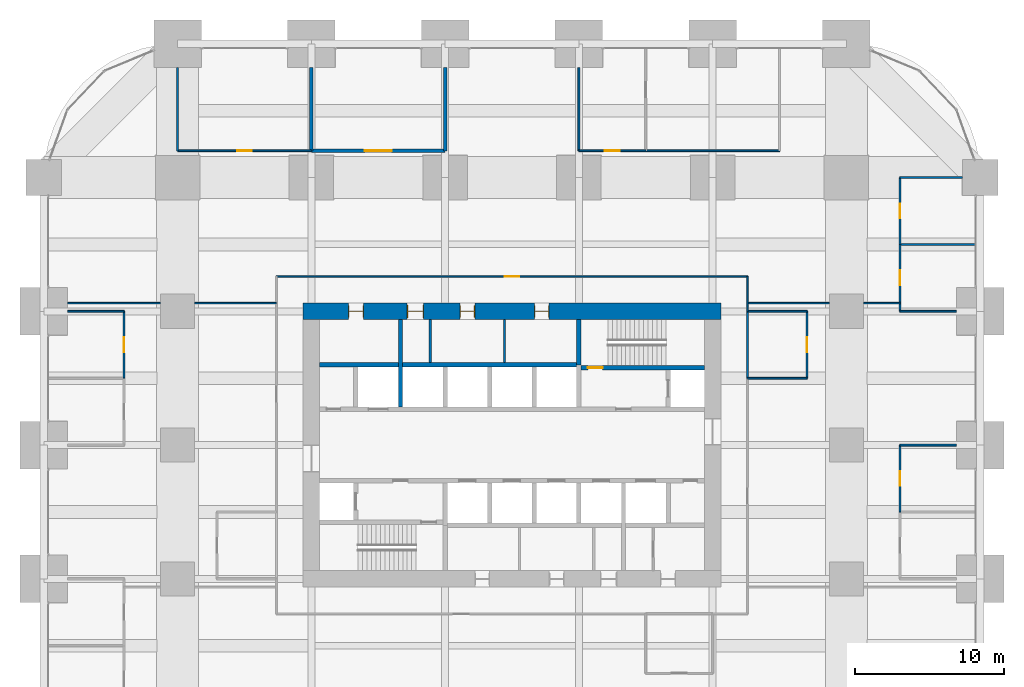
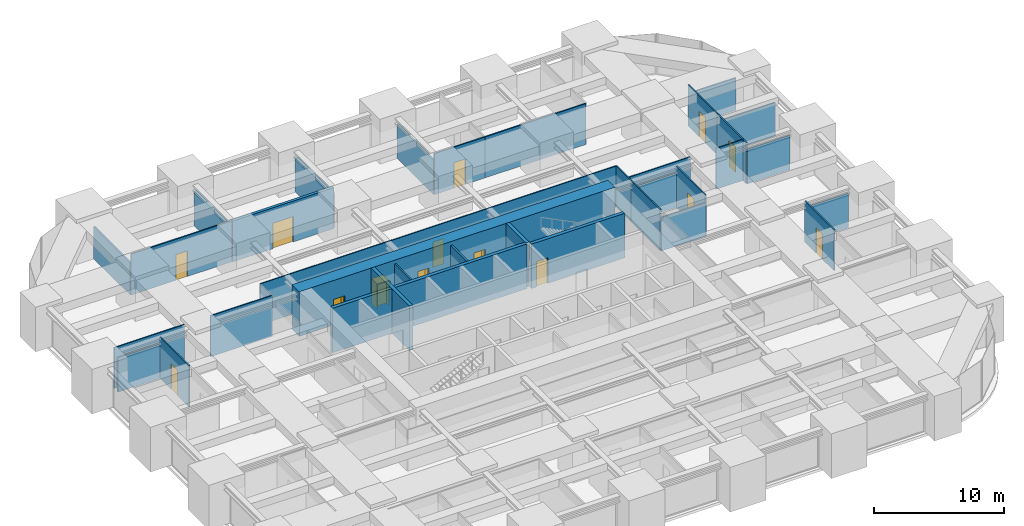
# One storey, part 40 of 42: 34 walls, 14 doors, 14 openings.
"""IFC4 building model written with IfcOpenShell, lengths in metres."""

from ifc_helpers import new_model, si_unit, direction, frame, frame_2d, origin, place, context, subcontext, project, spatial, rectangle, extrude, material, layer, layer_set, type_object, element, fill, save


model = new_model("IFC4")

# Units and contexts
model_context = context("Model", 3, precision=1e-05, world=origin(), true_north=direction((0.0, 1.0)))
body_context = subcontext(model_context, "Body", "Model", "MODEL_VIEW")
ifc_project = project(units=[si_unit("LENGTHUNIT", "METRE"), si_unit("AREAUNIT", "SQUARE_METRE"), si_unit("VOLUMEUNIT", "CUBIC_METRE"), si_unit("PLANEANGLEUNIT", "RADIAN"), si_unit("MASSUNIT", "GRAM", prefix="KILO")], contexts=[model_context])

# Site, building, storey
site_placement = place(None, origin())
site = spatial("IfcSite", under=ifc_project, at=site_placement, CompositionType="ELEMENT")
building_placement = place(site_placement, origin())
building = spatial("IfcBuilding", under=site, at=building_placement, Name="Zorevar Civic Tower", CompositionType="ELEMENT")
storey_placement = place(building_placement, frame((0.0, 0.0, 75.800048828125)))
storey = spatial("IfcBuildingStorey", under=building, at=storey_placement, Name="L18", CompositionType="ELEMENT", Elevation=75.800048828125)

# Wall, opening, door
ifc_material_1 = material(Name="Twin-stud acoustic wall, gypsum board")
ifc_layer_1 = layer(ifc_material_1, 0.25)
ifc_layer_set_1 = layer_set([ifc_layer_1], Name="Acoustic wall 250")
wall_type_1 = type_object("IfcWallType", Name="Acoustic wall 250", PredefinedType="PARTITIONING", material=ifc_layer_set_1)
wall_1_placement = place(storey_placement, frame((18.0, 46.800048828125, 0.0), z_axis=(0.0, 0.0, 1.0), x_axis=(1.0, 0.0, 0.0)))
wall_1 = element("IfcWall", 1, at=wall_1_placement, inside=storey, type_object=wall_type_1, Name="Acoustic wall 250 L18", PredefinedType="PARTITIONING", context=body_context, shape_type="SweptSolid", body=[
    extrude(rectangle(XDim=9.0, YDim=0.25, at=frame_2d((4.5, 0.0))), origin(), (0.0, 0.0, 1.0), 3.849853515625),
])
opening_1_placement = place(wall_1_placement, frame((3.60009765625, 0.0, 0.0)))
opening_1 = element("IfcOpeningElement", 2, at=opening_1_placement, cuts=wall_1, Name="Opening L18.23", PredefinedType="OPENING", context=body_context, shape_type="SweptSolid", body=[
    extrude(rectangle(XDim=1.800048828125, YDim=2.39990234375, at=frame_2d((0.89990234375, 1.199951171875))), frame((0.0, 0.135009765625, 0.0), z_axis=(0.0, -1.0, 0.0), x_axis=(1.0, 0.0, 0.0)), (0.0, 0.0, 1.0), 0.27001953125),
])
ifc_material_2 = material(Name="Steel door set", Category="steel")
door_type_1 = type_object("IfcDoorType", Name="Door D2 1800x2400", OperationType="DOUBLE_DOOR_SINGLE_SWING", PredefinedType="DOOR", material=ifc_material_2)
door_1_placement = place(opening_1_placement, origin())
door_1 = element("IfcDoor", 3, at=door_1_placement, inside=storey, type_object=door_type_1, Name="Door L18 D1", OperationType="DOUBLE_DOOR_SINGLE_SWING", OverallHeight=2.39990234375, OverallWidth=1.800048828125, PredefinedType="DOOR", context=body_context, shape_type="SweptSolid", body=[
    extrude(rectangle(XDim=1.800048828125, YDim=2.39990234375, at=frame_2d((0.89990234375, 1.199951171875))), frame((0.0, 0.02490234375, 0.0), z_axis=(0.0, -1.0, 0.0), x_axis=(1.0, 0.0, 0.0)), (0.0, 0.0, 1.0), 0.050048828125),
])
fill(opening_1, door_1)

# Walls
for number, where, z_axis, x_axis, name in (
    (4, (18.0, 46.800048828125, 0.0), (0.0, 0.0, 1.0), (0.0, 1.0, 0.0), "Acoustic wall 250 L18"),
    (5, (27.0, 46.800048828125, 0.0), (0.0, 0.0, 1.0), (0.0, 1.0, 0.0), "Acoustic wall 250 L18"),
):
    element("IfcWall", number, at=place(storey_placement, frame(where, z_axis=z_axis, x_axis=x_axis)), inside=storey, type_object=wall_type_1, Name=name, PredefinedType="PARTITIONING", context=body_context, shape_type="SweptSolid", body=[
        extrude(rectangle(XDim=5.599853515625, YDim=0.25, at=frame_2d((2.7998046875, 0.0))), origin(), (0.0, 0.0, 1.0), 3.25),
    ])

# Wall, openings, doors
ifc_material_3 = material(Name="Concrete C50/60", Category="concrete")
ifc_layer_2 = layer(ifc_material_3, 1.10009765625)
ifc_layer_set_2 = layer_set([ifc_layer_2], Name="Core wall 1100")
wall_type_2 = type_object("IfcWallType", Name="Core wall 1100", PredefinedType="SHEAR", material=ifc_layer_set_2)
wall_2_placement = place(storey_placement, frame((45.550048828125, 36.0, 0.0), z_axis=(0.0, 0.0, 1.0), x_axis=(-1.0, 0.0, 0.0)))
wall_2 = element("IfcWall", 6, at=wall_2_placement, inside=storey, type_object=wall_type_2, Name="Core wall N L18", PredefinedType="SHEAR", context=body_context, shape_type="SweptSolid", body=[
    extrude(rectangle(XDim=28.10009765625, YDim=1.10009765625, at=frame_2d((14.050048828125, 0.0))), origin(), (0.0, 0.0, 1.0), 4.199951171875),
])
opening_2_placement = place(wall_2_placement, frame((11.550048828125, 0.0, 0.0)))
opening_2 = element("IfcOpeningElement", 7, at=opening_2_placement, cuts=wall_2, Name="Opening L18.07", PredefinedType="OPENING", context=body_context, shape_type="SweptSolid", body=[
    extrude(rectangle(XDim=1.0, YDim=2.39990234375, at=frame_2d((0.5, 1.199951171875))), frame((0.0, 0.56005859375, 0.0), z_axis=(0.0, -1.0, 0.0), x_axis=(1.0, 0.0, 0.0)), (0.0, 0.0, 1.0), 1.1201171875),
])
opening_3_placement = place(wall_2_placement, frame((16.550048828125, 0.0, 0.0)))
opening_3 = element("IfcOpeningElement", 8, at=opening_3_placement, cuts=wall_2, Name="Opening L18.08", PredefinedType="OPENING", context=body_context, shape_type="SweptSolid", body=[
    extrude(rectangle(XDim=1.0, YDim=2.39990234375, at=frame_2d((0.5, 1.199951171875))), frame((0.0, 0.56005859375, 0.0), z_axis=(0.0, -1.0, 0.0), x_axis=(1.0, 0.0, 0.0)), (0.0, 0.0, 1.0), 1.1201171875),
])
opening_4_placement = place(wall_2_placement, frame((20.0, 0.0, 0.0)))
opening_4 = element("IfcOpeningElement", 9, at=opening_4_placement, cuts=wall_2, Name="Opening L18.09", PredefinedType="OPENING", context=body_context, shape_type="SweptSolid", body=[
    extrude(rectangle(XDim=1.10009765625, YDim=2.39990234375, at=frame_2d((0.550048828125, 1.199951171875))), frame((0.0, 0.56005859375, 0.0), z_axis=(0.0, -1.0, 0.0), x_axis=(1.0, 0.0, 0.0)), (0.0, 0.0, 1.0), 1.1201171875),
])
opening_5_placement = place(wall_2_placement, frame((24.050048828125, 0.0, 0.0)))
opening_5 = element("IfcOpeningElement", 10, at=opening_5_placement, cuts=wall_2, Name="Opening L18.10", PredefinedType="OPENING", context=body_context, shape_type="SweptSolid", body=[
    extrude(rectangle(XDim=1.0, YDim=2.39990234375, at=frame_2d((0.5, 1.199951171875))), frame((0.0, 0.56005859375, 0.0), z_axis=(0.0, -1.0, 0.0), x_axis=(1.0, 0.0, 0.0)), (0.0, 0.0, 1.0), 1.1201171875),
])
ifc_material_4 = material(Name="Timber door set", Category="wood")
door_type_2 = type_object("IfcDoorType", Name="Door D1 1000x2400", OperationType="SINGLE_SWING_LEFT", PredefinedType="DOOR", material=ifc_material_4)
door_2_placement = place(opening_2_placement, origin())
door_2 = element("IfcDoor", 11, at=door_2_placement, inside=storey, type_object=door_type_2, Name="Door L18 06", OperationType="SINGLE_SWING_RIGHT", OverallHeight=2.39990234375, OverallWidth=1.0, PredefinedType="DOOR", context=body_context, shape_type="SweptSolid", body=[
    extrude(rectangle(XDim=1.0, YDim=2.39990234375, at=frame_2d((0.5, 1.199951171875))), frame((0.0, 0.02490234375, 0.0), z_axis=(0.0, -1.0, 0.0), x_axis=(1.0, 0.0, 0.0)), (0.0, 0.0, 1.0), 0.050048828125),
    extrude(rectangle(XDim=0.04, YDim=2.39990234375, at=frame_2d((0.02001953125, 1.199951171875))), frame((0.0, 0.39990234375, 0.0), z_axis=(0.0, -1.0, 0.0), x_axis=(1.0, 0.0, 0.0)), (0.0, 0.0, 1.0), 0.800048828125),
    extrude(rectangle(XDim=0.04, YDim=2.39990234375, at=frame_2d((0.97998046875, 1.199951171875))), frame((0.0, 0.39990234375, 0.0), z_axis=(0.0, -1.0, 0.0), x_axis=(1.0, 0.0, 0.0)), (0.0, 0.0, 1.0), 0.800048828125),
    extrude(rectangle(XDim=1.0, YDim=0.04, at=frame_2d((0.5, 2.3798828125))), frame((0.0, 0.39990234375, 0.0), z_axis=(0.0, -1.0, 0.0), x_axis=(1.0, 0.0, 0.0)), (0.0, 0.0, 1.0), 0.800048828125),
])
fill(opening_2, door_2)
door_3_placement = place(opening_3_placement, origin())
door_3 = element("IfcDoor", 12, at=door_3_placement, inside=storey, type_object=door_type_2, Name="Door L18 07", OperationType="SINGLE_SWING_LEFT", OverallHeight=2.39990234375, OverallWidth=1.0, PredefinedType="DOOR", context=body_context, shape_type="SweptSolid", body=[
    extrude(rectangle(XDim=1.0, YDim=2.39990234375, at=frame_2d((0.5, 1.199951171875))), frame((0.0, 0.02490234375, 0.0), z_axis=(0.0, -1.0, 0.0), x_axis=(1.0, 0.0, 0.0)), (0.0, 0.0, 1.0), 0.050048828125),
    extrude(rectangle(XDim=0.04, YDim=2.39990234375, at=frame_2d((0.02001953125, 1.199951171875))), frame((0.0, 0.39990234375, 0.0), z_axis=(0.0, -1.0, 0.0), x_axis=(1.0, 0.0, 0.0)), (0.0, 0.0, 1.0), 0.800048828125),
    extrude(rectangle(XDim=0.04, YDim=2.39990234375, at=frame_2d((0.97998046875, 1.199951171875))), frame((0.0, 0.39990234375, 0.0), z_axis=(0.0, -1.0, 0.0), x_axis=(1.0, 0.0, 0.0)), (0.0, 0.0, 1.0), 0.800048828125),
    extrude(rectangle(XDim=1.0, YDim=0.04, at=frame_2d((0.5, 2.3798828125))), frame((0.0, 0.39990234375, 0.0), z_axis=(0.0, -1.0, 0.0), x_axis=(1.0, 0.0, 0.0)), (0.0, 0.0, 1.0), 0.800048828125),
])
fill(opening_3, door_3)
door_4_placement = place(opening_5_placement, origin())
door_4 = element("IfcDoor", 13, at=door_4_placement, inside=storey, type_object=door_type_2, Name="Door L18 09", OperationType="SINGLE_SWING_LEFT", OverallHeight=2.39990234375, OverallWidth=1.0, PredefinedType="DOOR", context=body_context, shape_type="SweptSolid", body=[
    extrude(rectangle(XDim=1.0, YDim=2.39990234375, at=frame_2d((0.5, 1.199951171875))), frame((0.0, 0.02490234375, 0.0), z_axis=(0.0, -1.0, 0.0), x_axis=(1.0, 0.0, 0.0)), (0.0, 0.0, 1.0), 0.050048828125),
    extrude(rectangle(XDim=0.04, YDim=2.39990234375, at=frame_2d((0.02001953125, 1.199951171875))), frame((0.0, 0.39990234375, 0.0), z_axis=(0.0, -1.0, 0.0), x_axis=(1.0, 0.0, 0.0)), (0.0, 0.0, 1.0), 0.800048828125),
    extrude(rectangle(XDim=0.04, YDim=2.39990234375, at=frame_2d((0.97998046875, 1.199951171875))), frame((0.0, 0.39990234375, 0.0), z_axis=(0.0, -1.0, 0.0), x_axis=(1.0, 0.0, 0.0)), (0.0, 0.0, 1.0), 0.800048828125),
    extrude(rectangle(XDim=1.0, YDim=0.04, at=frame_2d((0.5, 2.3798828125))), frame((0.0, 0.39990234375, 0.0), z_axis=(0.0, -1.0, 0.0), x_axis=(1.0, 0.0, 0.0)), (0.0, 0.0, 1.0), 0.800048828125),
])
fill(opening_5, door_4)
ifc_material_5 = material(Name="Timber door set", Category="wood")
door_type_3 = type_object("IfcDoorType", Name="Door D5 1100x2400", OperationType="SINGLE_SWING_LEFT", PredefinedType="DOOR", material=ifc_material_5)
door_5_placement = place(opening_4_placement, origin())
door_5 = element("IfcDoor", 14, at=door_5_placement, inside=storey, type_object=door_type_3, Name="Door L18 08", OperationType="SINGLE_SWING_LEFT", OverallHeight=2.39990234375, OverallWidth=1.10009765625, PredefinedType="DOOR", context=body_context, shape_type="SweptSolid", body=[
    extrude(rectangle(XDim=1.10009765625, YDim=2.39990234375, at=frame_2d((0.550048828125, 1.199951171875))), frame((0.0, 0.02490234375, 0.0), z_axis=(0.0, -1.0, 0.0), x_axis=(1.0, 0.0, 0.0)), (0.0, 0.0, 1.0), 0.050048828125),
    extrude(rectangle(XDim=0.04, YDim=2.39990234375, at=frame_2d((0.02001953125, 1.199951171875))), frame((0.0, 0.43994140625, 0.0), z_axis=(0.0, -1.0, 0.0), x_axis=(1.0, 0.0, 0.0)), (0.0, 0.0, 1.0), 0.880126953125),
    extrude(rectangle(XDim=0.04, YDim=2.39990234375, at=frame_2d((1.080078125, 1.199951171875))), frame((0.0, 0.43994140625, 0.0), z_axis=(0.0, -1.0, 0.0), x_axis=(1.0, 0.0, 0.0)), (0.0, 0.0, 1.0), 0.880126953125),
    extrude(rectangle(XDim=1.10009765625, YDim=0.04, at=frame_2d((0.550048828125, 2.3798828125))), frame((0.0, 0.43994140625, 0.0), z_axis=(0.0, -1.0, 0.0), x_axis=(1.0, 0.0, 0.0)), (0.0, 0.0, 1.0), 0.880126953125),
])
fill(opening_4, door_5)

# Walls
ifc_material_6 = material(Name="Laminated glass in black aluminium frame", Category="aluminium")
ifc_layer_3 = layer(ifc_material_6, 0.10009765625)
ifc_layer_set_3 = layer_set([ifc_layer_3], Name="Glazed partition 100")
wall_type_3 = type_object("IfcWallType", Name="Glazed partition 100", PredefinedType="PARTITIONING", material=ifc_layer_set_3)
wall_3_placement = place(storey_placement, frame((1.60009765625, 36.550048828125, 0.0), z_axis=(0.0, 0.0, 1.0), x_axis=(1.0, 0.0, 0.0)))
element("IfcWall", 15, at=wall_3_placement, inside=storey, type_object=wall_type_3, Name="Glazed partition 100 L18", PredefinedType="PARTITIONING", context=body_context, shape_type="SweptSolid", body=[
    extrude(rectangle(XDim=6.25, YDim=0.10009765625, at=frame_2d((3.125, 0.0))), origin(), (0.0, 0.0, 1.0), 3.849853515625),
])
for number, where, z_axis, x_axis, name in (
    (16, (10.14990234375, 36.550048828125, 0.0), (0.0, 0.0, 1.0), (1.0, 0.0, 0.0), "Glazed partition 100 L18"),
    (17, (47.35009765625, 36.550048828125, 0.0), (0.0, 0.0, 1.0), (1.0, 0.0, 0.0), "Glazed partition 100 L18"),
):
    element("IfcWall", number, at=place(storey_placement, frame(where, z_axis=z_axis, x_axis=x_axis)), inside=storey, type_object=wall_type_3, Name=name, PredefinedType="PARTITIONING", context=body_context, shape_type="SweptSolid", body=[
        extrude(rectangle(XDim=5.5, YDim=0.10009765625, at=frame_2d((2.75, 0.0))), origin(), (0.0, 0.0, 1.0), 3.849853515625),
    ])
wall_4_placement = place(storey_placement, frame((55.14990234375, 36.550048828125, 0.0), z_axis=(0.0, 0.0, 1.0), x_axis=(1.0, 0.0, 0.0)))
element("IfcWall", 18, at=wall_4_placement, inside=storey, type_object=wall_type_3, Name="Glazed partition 100 L18", PredefinedType="PARTITIONING", context=body_context, shape_type="SweptSolid", body=[
    extrude(rectangle(XDim=2.460205078125, YDim=0.10009765625, at=frame_2d((1.22998046875, 0.0))), origin(), (0.0, 0.0, 1.0), 3.849853515625),
])

# Wall, opening, door
wall_5_placement = place(storey_placement, frame((15.64990234375, 38.35009765625, 0.0), z_axis=(0.0, 0.0, 1.0), x_axis=(1.0, 0.0, 0.0)))
wall_5 = element("IfcWall", 19, at=wall_5_placement, inside=storey, type_object=wall_type_3, Name="Glazed partition 100 L18", PredefinedType="PARTITIONING", context=body_context, shape_type="SweptSolid", body=[
    extrude(rectangle(XDim=31.7001953125, YDim=0.10009765625, at=frame_2d((15.85009765625, 0.0))), origin(), (0.0, 0.0, 1.0), 3.849853515625),
])
opening_6_placement = place(wall_5_placement, frame((15.35009765625, 0.0, 0.0)))
opening_6 = element("IfcOpeningElement", 20, at=opening_6_placement, cuts=wall_5, Name="Opening L18.22", PredefinedType="OPENING", context=body_context, shape_type="SweptSolid", body=[
    extrude(rectangle(XDim=1.0, YDim=2.39990234375, at=frame_2d((0.5, 1.199951171875))), frame((0.0, 0.06005859375, 0.0), z_axis=(0.0, -1.0, 0.0), x_axis=(1.0, 0.0, 0.0)), (0.0, 0.0, 1.0), 0.1201171875),
])
ifc_material_7 = material(Name="Timber door set", Category="wood")
door_type_4 = type_object("IfcDoorType", Name="Glazed door GD1 1000x2400", OperationType="SINGLE_SWING_LEFT", PredefinedType="DOOR", material=ifc_material_7)
door_6_placement = place(opening_6_placement, origin())
door_6 = element("IfcDoor", 21, at=door_6_placement, inside=storey, type_object=door_type_4, Name="Door L18 D1", OperationType="SINGLE_SWING_LEFT", OverallHeight=2.39990234375, OverallWidth=1.0, PredefinedType="DOOR", context=body_context, shape_type="SweptSolid", body=[
    extrude(rectangle(XDim=1.0, YDim=2.39990234375, at=frame_2d((0.5, 1.199951171875))), frame((0.0, 0.02001953125, 0.0), z_axis=(0.0, -1.0, 0.0), x_axis=(1.0, 0.0, 0.0)), (0.0, 0.0, 1.0), 0.0400390625),
])
fill(opening_6, door_6)

# Wall
wall_6_placement = place(storey_placement, frame((47.35009765625, 36.0, 0.0), z_axis=(0.0, 0.0, 1.0), x_axis=(0.0, 1.0, 0.0)))
element("IfcWall", 22, at=wall_6_placement, inside=storey, type_object=wall_type_3, Name="Glazed partition 100 L18", PredefinedType="PARTITIONING", context=body_context, shape_type="SweptSolid", body=[
    extrude(rectangle(XDim=2.35009765625, YDim=0.10009765625, at=frame_2d((1.175048828125, 0.0))), origin(), (0.0, 0.0, 1.0), 3.849853515625),
])

# Wall, opening, door
ifc_material_8 = material(Name="Concrete C40/50", Category="concrete")
ifc_layer_4 = layer(ifc_material_8, 0.300048828125)
ifc_layer_set_4 = layer_set([ifc_layer_4], Name="Inner core wall 300")
wall_type_4 = type_object("IfcWallType", Name="Inner core wall 300", PredefinedType="SHEAR", material=ifc_layer_set_4)
wall_7_placement = place(storey_placement, frame((36.14990234375, 32.199951171875, 0.0), z_axis=(0.0, 0.0, 1.0), x_axis=(1.0, 0.0, 0.0)))
wall_7 = element("IfcWall", 23, at=wall_7_placement, inside=storey, type_object=wall_type_4, Name="Inner core wall N00 L18", PredefinedType="SHEAR", context=body_context, shape_type="SweptSolid", body=[
    extrude(rectangle(XDim=8.300048828125, YDim=0.300048828125, at=frame_2d((4.14990234375, 0.0))), origin(), (0.0, 0.0, 1.0), 4.199951171875),
])
opening_7_placement = place(wall_7_placement, frame((0.449951171875, 0.0, 0.0)))
opening_7 = element("IfcOpeningElement", 24, at=opening_7_placement, cuts=wall_7, Name="Opening L18.12", PredefinedType="OPENING", context=body_context, shape_type="SweptSolid", body=[
    extrude(rectangle(XDim=1.0, YDim=2.39990234375, at=frame_2d((0.5, 1.199951171875))), frame((0.0, 0.159912109375, 0.0), z_axis=(0.0, -1.0, 0.0), x_axis=(1.0, 0.0, 0.0)), (0.0, 0.0, 1.0), 0.320068359375),
])
ifc_material_9 = material(Name="Steel door set", Category="steel")
door_type_5 = type_object("IfcDoorType", Name="Fire door FD1 1000x2400", OperationType="SINGLE_SWING_LEFT", PredefinedType="DOOR", material=ifc_material_9)
door_7_placement = place(opening_7_placement, origin())
door_7 = element("IfcDoor", 25, at=door_7_placement, inside=storey, type_object=door_type_5, Name="Door L18 11", OperationType="SINGLE_SWING_RIGHT", OverallHeight=2.39990234375, OverallWidth=1.0, PredefinedType="DOOR", context=body_context, shape_type="SweptSolid", body=[
    extrude(rectangle(XDim=1.0, YDim=2.39990234375, at=frame_2d((0.5, 1.199951171875))), frame((0.0, 0.030029296875, 0.0), z_axis=(0.0, -1.0, 0.0), x_axis=(1.0, 0.0, 0.0)), (0.0, 0.0, 1.0), 0.06005859375),
])
fill(opening_7, door_7)

# Walls
wall_8_placement = place(storey_placement, frame((36.0, 32.39990234375, 0.0), z_axis=(0.0, 0.0, 1.0), x_axis=(0.0, 1.0, 0.0)))
element("IfcWall", 26, at=wall_8_placement, inside=storey, type_object=wall_type_4, Name="Inner core wall N01 L18", PredefinedType="SHEAR", context=body_context, shape_type="SweptSolid", body=[
    extrude(rectangle(XDim=3.050048828125, YDim=0.300048828125, at=frame_2d((1.52490234375, 0.0))), origin(), (0.0, 0.0, 1.0), 4.199951171875),
])
wall_9_placement = place(storey_placement, frame((18.550048828125, 32.39990234375, 0.0), z_axis=(0.0, 0.0, 1.0), x_axis=(1.0, 0.0, 0.0)))
element("IfcWall", 27, at=wall_9_placement, inside=storey, type_object=wall_type_4, Name="Inner core wall N04 L18", PredefinedType="SHEAR", context=body_context, shape_type="SweptSolid", body=[
    extrude(rectangle(XDim=17.300048828125, YDim=0.300048828125, at=frame_2d((8.64990234375, 0.0))), origin(), (0.0, 0.0, 1.0), 4.199951171875),
])
wall_10_placement = place(storey_placement, frame((24.0, 29.550048828125, 0.0), z_axis=(0.0, 0.0, 1.0), x_axis=(0.0, 1.0, 0.0)))
element("IfcWall", 28, at=wall_10_placement, inside=storey, type_object=wall_type_4, Name="Inner core wall N08 L18", PredefinedType="SHEAR", context=body_context, shape_type="SweptSolid", body=[
    extrude(rectangle(XDim=5.89990234375, YDim=0.300048828125, at=frame_2d((2.949951171875, 0.0))), origin(), (0.0, 0.0, 1.0), 4.199951171875),
])
ifc_material_10 = material(Name="Gypsum board on steel studs", Category="steel")
ifc_layer_5 = layer(ifc_material_10, 0.1201171875)
ifc_layer_set_5 = layer_set([ifc_layer_5], Name="Partition 120")
wall_type_5 = type_object("IfcWallType", Name="Partition 120", PredefinedType="PARTITIONING", material=ifc_layer_set_5)
wall_11_placement = place(storey_placement, frame((57.60009765625, 27.0, 0.0), z_axis=(0.0, 0.0, 1.0), x_axis=(1.0, 0.0, 0.0)))
element("IfcWall", 29, at=wall_11_placement, inside=storey, type_object=wall_type_5, Name="Partition 120 L18", PredefinedType="PARTITIONING", context=body_context, shape_type="SweptSolid", body=[
    extrude(rectangle(XDim=3.7998046875, YDim=0.1201171875, at=frame_2d((1.89990234375, 0.0))), origin(), (0.0, 0.0, 1.0), 3.25),
])
wall_12_placement = place(storey_placement, frame((47.35009765625, 31.5, 0.0), z_axis=(0.0, 0.0, 1.0), x_axis=(1.0, 0.0, 0.0)))
element("IfcWall", 30, at=wall_12_placement, inside=storey, type_object=wall_type_5, Name="Partition 120 L18", PredefinedType="PARTITIONING", context=body_context, shape_type="SweptSolid", body=[
    extrude(rectangle(XDim=4.0, YDim=0.1201171875, at=frame_2d((2.0, 0.0))), origin(), (0.0, 0.0, 1.0), 3.14990234375),
])
wall_13_placement = place(storey_placement, frame((47.35009765625, 36.0, 0.0), z_axis=(0.0, 0.0, 1.0), x_axis=(1.0, 0.0, 0.0)))
element("IfcWall", 31, at=wall_13_placement, inside=storey, type_object=wall_type_5, Name="Partition 120 L18", PredefinedType="PARTITIONING", context=body_context, shape_type="SweptSolid", body=[
    extrude(rectangle(XDim=4.0, YDim=0.1201171875, at=frame_2d((2.0, 0.0))), origin(), (0.0, 0.0, 1.0), 3.25),
])
for number, where, z_axis, x_axis, name in (
    (32, (1.60009765625, 36.0, 0.0), (0.0, 0.0, 1.0), (1.0, 0.0, 0.0), "Partition 120 L18"),
    (33, (57.60009765625, 36.0, 0.0), (0.0, 0.0, 1.0), (1.0, 0.0, 0.0), "Partition 120 L18"),
):
    element("IfcWall", number, at=place(storey_placement, frame(where, z_axis=z_axis, x_axis=x_axis)), inside=storey, type_object=wall_type_5, Name=name, PredefinedType="PARTITIONING", context=body_context, shape_type="SweptSolid", body=[
        extrude(rectangle(XDim=3.7998046875, YDim=0.1201171875, at=frame_2d((1.89990234375, 0.0))), origin(), (0.0, 0.0, 1.0), 3.25),
    ])
wall_14_placement = place(storey_placement, frame((57.60009765625, 40.5, 0.0), z_axis=(0.0, 0.0, 1.0), x_axis=(1.0, 0.0, 0.0)))
element("IfcWall", 34, at=wall_14_placement, inside=storey, type_object=wall_type_5, Name="Partition 120 L18", PredefinedType="PARTITIONING", context=body_context, shape_type="SweptSolid", body=[
    extrude(rectangle(XDim=5.08984375, YDim=0.1201171875, at=frame_2d((2.544921875, 0.0))), origin(), (0.0, 0.0, 1.0), 3.14990234375),
])
wall_15_placement = place(storey_placement, frame((57.60009765625, 45.0, 0.0), z_axis=(0.0, 0.0, 1.0), x_axis=(1.0, 0.0, 0.0)))
element("IfcWall", 35, at=wall_15_placement, inside=storey, type_object=wall_type_5, Name="Partition 120 L18", PredefinedType="PARTITIONING", context=body_context, shape_type="SweptSolid", body=[
    extrude(rectangle(XDim=4.199951171875, YDim=0.1201171875, at=frame_2d((2.10009765625, 0.0))), origin(), (0.0, 0.0, 1.0), 3.050048828125),
])

# Wall, opening, door
wall_16_placement = place(storey_placement, frame((9.0, 46.800048828125, 0.0), z_axis=(0.0, 0.0, 1.0), x_axis=(1.0, 0.0, 0.0)))
wall_16 = element("IfcWall", 36, at=wall_16_placement, inside=storey, type_object=wall_type_5, Name="Partition 120 L18", PredefinedType="PARTITIONING", context=body_context, shape_type="SweptSolid", body=[
    extrude(rectangle(XDim=9.0, YDim=0.1201171875, at=frame_2d((4.5, 0.0))), origin(), (0.0, 0.0, 1.0), 3.849853515625),
])
opening_8_placement = place(wall_16_placement, frame((4.0, 0.0, 0.0)))
opening_8 = element("IfcOpeningElement", 37, at=opening_8_placement, cuts=wall_16, Name="Opening L18.24", PredefinedType="OPENING", context=body_context, shape_type="SweptSolid", body=[
    extrude(rectangle(XDim=1.0, YDim=2.39990234375, at=frame_2d((0.5, 1.199951171875))), frame((0.0, 0.070068359375, 0.0), z_axis=(0.0, -1.0, 0.0), x_axis=(1.0, 0.0, 0.0)), (0.0, 0.0, 1.0), 0.14013671875),
])
door_8_placement = place(opening_8_placement, origin())
door_8 = element("IfcDoor", 38, at=door_8_placement, inside=storey, type_object=door_type_2, Name="Door L18 D1", OperationType="SINGLE_SWING_LEFT", OverallHeight=2.39990234375, OverallWidth=1.0, PredefinedType="DOOR", context=body_context, shape_type="SweptSolid", body=[
    extrude(rectangle(XDim=1.0, YDim=2.39990234375, at=frame_2d((0.5, 1.199951171875))), frame((0.0, 0.02490234375, 0.0), z_axis=(0.0, -1.0, 0.0), x_axis=(1.0, 0.0, 0.0)), (0.0, 0.0, 1.0), 0.050048828125),
])
fill(opening_8, door_8)

wall_17_placement = place(storey_placement, frame((36.0, 46.800048828125, 0.0), z_axis=(0.0, 0.0, 1.0), x_axis=(1.0, 0.0, 0.0)))
wall_17 = element("IfcWall", 39, at=wall_17_placement, inside=storey, type_object=wall_type_5, Name="Partition 120 L18", PredefinedType="PARTITIONING", context=body_context, shape_type="SweptSolid", body=[
    extrude(rectangle(XDim=4.5, YDim=0.1201171875, at=frame_2d((2.25, 0.0))), origin(), (0.0, 0.0, 1.0), 3.849853515625),
])
opening_9_placement = place(wall_17_placement, frame((1.75, 0.0, 0.0)))
opening_9 = element("IfcOpeningElement", 40, at=opening_9_placement, cuts=wall_17, Name="Opening L18.25", PredefinedType="OPENING", context=body_context, shape_type="SweptSolid", body=[
    extrude(rectangle(XDim=1.0, YDim=2.39990234375, at=frame_2d((0.5, 1.199951171875))), frame((0.0, 0.070068359375, 0.0), z_axis=(0.0, -1.0, 0.0), x_axis=(1.0, 0.0, 0.0)), (0.0, 0.0, 1.0), 0.14013671875),
])
door_9_placement = place(opening_9_placement, origin())
door_9 = element("IfcDoor", 41, at=door_9_placement, inside=storey, type_object=door_type_2, Name="Door L18 D1", OperationType="SINGLE_SWING_RIGHT", OverallHeight=2.39990234375, OverallWidth=1.0, PredefinedType="DOOR", context=body_context, shape_type="SweptSolid", body=[
    extrude(rectangle(XDim=1.0, YDim=2.39990234375, at=frame_2d((0.5, 1.199951171875))), frame((0.0, 0.02490234375, 0.0), z_axis=(0.0, -1.0, 0.0), x_axis=(1.0, 0.0, 0.0)), (0.0, 0.0, 1.0), 0.050048828125),
])
fill(opening_9, door_9)

# Wall
wall_18_placement = place(storey_placement, frame((40.5, 46.800048828125, 0.0), z_axis=(0.0, 0.0, 1.0), x_axis=(1.0, 0.0, 0.0)))
element("IfcWall", 42, at=wall_18_placement, inside=storey, type_object=wall_type_5, Name="Partition 120 L18", PredefinedType="PARTITIONING", context=body_context, shape_type="SweptSolid", body=[
    extrude(rectangle(XDim=9.0, YDim=0.1201171875, at=frame_2d((4.5, 0.0))), origin(), (0.0, 0.0, 1.0), 3.849853515625),
])

# Wall, opening, door
wall_19_placement = place(storey_placement, frame((5.39990234375, 31.5, 0.0), z_axis=(0.0, 0.0, 1.0), x_axis=(0.0, 1.0, 0.0)))
wall_19 = element("IfcWall", 43, at=wall_19_placement, inside=storey, type_object=wall_type_5, Name="Partition 120 L18", PredefinedType="PARTITIONING", context=body_context, shape_type="SweptSolid", body=[
    extrude(rectangle(XDim=4.5, YDim=0.1201171875, at=frame_2d((2.25, 0.0))), origin(), (0.0, 0.0, 1.0), 3.849853515625),
])
opening_10_placement = place(wall_19_placement, frame((1.75, 0.0, 0.0)))
opening_10 = element("IfcOpeningElement", 44, at=opening_10_placement, cuts=wall_19, Name="Opening L18.29", PredefinedType="OPENING", context=body_context, shape_type="SweptSolid", body=[
    extrude(rectangle(XDim=1.0, YDim=2.39990234375, at=frame_2d((0.5, 1.199951171875))), frame((0.0, 0.070068359375, 0.0), z_axis=(0.0, -1.0, 0.0), x_axis=(1.0, 0.0, 0.0)), (0.0, 0.0, 1.0), 0.14013671875),
])
door_10_placement = place(opening_10_placement, origin())
door_10 = element("IfcDoor", 45, at=door_10_placement, inside=storey, type_object=door_type_2, Name="Door L18 D1", OperationType="SINGLE_SWING_RIGHT", OverallHeight=2.39990234375, OverallWidth=1.0, PredefinedType="DOOR", context=body_context, shape_type="SweptSolid", body=[
    extrude(rectangle(XDim=1.0, YDim=2.39990234375, at=frame_2d((0.5, 1.199951171875))), frame((0.0, 0.02490234375, 0.0), z_axis=(0.0, -1.0, 0.0), x_axis=(1.0, 0.0, 0.0)), (0.0, 0.0, 1.0), 0.050048828125),
])
fill(opening_10, door_10)

# Walls
wall_20_placement = place(storey_placement, frame((9.0, 46.800048828125, 0.0), z_axis=(0.0, 0.0, 1.0), x_axis=(0.0, 1.0, 0.0)))
element("IfcWall", 46, at=wall_20_placement, inside=storey, type_object=wall_type_5, Name="Partition 120 L18", PredefinedType="PARTITIONING", context=body_context, shape_type="SweptSolid", body=[
    extrude(rectangle(XDim=5.599853515625, YDim=0.1201171875, at=frame_2d((2.7998046875, 0.0))), origin(), (0.0, 0.0, 1.0), 3.050048828125),
])
wall_21_placement = place(storey_placement, frame((36.0, 46.800048828125, 0.0), z_axis=(0.0, 0.0, 1.0), x_axis=(0.0, 1.0, 0.0)))
element("IfcWall", 47, at=wall_21_placement, inside=storey, type_object=wall_type_5, Name="Partition 120 L18", PredefinedType="PARTITIONING", context=body_context, shape_type="SweptSolid", body=[
    extrude(rectangle(XDim=5.599853515625, YDim=0.1201171875, at=frame_2d((2.7998046875, 0.0))), origin(), (0.0, 0.0, 1.0), 3.25),
])
wall_22_placement = place(storey_placement, frame((47.35009765625, 31.5, 0.0), z_axis=(0.0, 0.0, 1.0), x_axis=(0.0, 1.0, 0.0)))
element("IfcWall", 48, at=wall_22_placement, inside=storey, type_object=wall_type_5, Name="Partition 120 L18", PredefinedType="PARTITIONING", context=body_context, shape_type="SweptSolid", body=[
    extrude(rectangle(XDim=4.5, YDim=0.1201171875, at=frame_2d((2.25, 0.0))), origin(), (0.0, 0.0, 1.0), 3.849853515625),
])

# Wall, opening, door
wall_23_placement = place(storey_placement, frame((51.35009765625, 31.5, 0.0), z_axis=(0.0, 0.0, 1.0), x_axis=(0.0, 1.0, 0.0)))
wall_23 = element("IfcWall", 49, at=wall_23_placement, inside=storey, type_object=wall_type_5, Name="Partition 120 L18", PredefinedType="PARTITIONING", context=body_context, shape_type="SweptSolid", body=[
    extrude(rectangle(XDim=4.5, YDim=0.1201171875, at=frame_2d((2.25, 0.0))), origin(), (0.0, 0.0, 1.0), 3.849853515625),
])
opening_11_placement = place(wall_23_placement, frame((1.75, 0.0, 0.0)))
opening_11 = element("IfcOpeningElement", 50, at=opening_11_placement, cuts=wall_23, Name="Opening L18.36", PredefinedType="OPENING", context=body_context, shape_type="SweptSolid", body=[
    extrude(rectangle(XDim=1.0, YDim=2.39990234375, at=frame_2d((0.5, 1.199951171875))), frame((0.0, 0.070068359375, 0.0), z_axis=(0.0, -1.0, 0.0), x_axis=(1.0, 0.0, 0.0)), (0.0, 0.0, 1.0), 0.14013671875),
])
door_11_placement = place(opening_11_placement, origin())
door_11 = element("IfcDoor", 51, at=door_11_placement, inside=storey, type_object=door_type_2, Name="Door L18 D1", OperationType="SINGLE_SWING_RIGHT", OverallHeight=2.39990234375, OverallWidth=1.0, PredefinedType="DOOR", context=body_context, shape_type="SweptSolid", body=[
    extrude(rectangle(XDim=1.0, YDim=2.39990234375, at=frame_2d((0.5, 1.199951171875))), frame((0.0, 0.02490234375, 0.0), z_axis=(0.0, -1.0, 0.0), x_axis=(1.0, 0.0, 0.0)), (0.0, 0.0, 1.0), 0.050048828125),
])
fill(opening_11, door_11)

wall_24_placement = place(storey_placement, frame((57.60009765625, 22.5, 0.0), z_axis=(0.0, 0.0, 1.0), x_axis=(0.0, 1.0, 0.0)))
wall_24 = element("IfcWall", 52, at=wall_24_placement, inside=storey, type_object=wall_type_5, Name="Partition 120 L18", PredefinedType="PARTITIONING", context=body_context, shape_type="SweptSolid", body=[
    extrude(rectangle(XDim=4.5, YDim=0.1201171875, at=frame_2d((2.25, 0.0))), origin(), (0.0, 0.0, 1.0), 3.849853515625),
])
opening_12_placement = place(wall_24_placement, frame((1.75, 0.0, 0.0)))
opening_12 = element("IfcOpeningElement", 53, at=opening_12_placement, cuts=wall_24, Name="Opening L18.38", PredefinedType="OPENING", context=body_context, shape_type="SweptSolid", body=[
    extrude(rectangle(XDim=1.0, YDim=2.39990234375, at=frame_2d((0.5, 1.199951171875))), frame((0.0, 0.070068359375, 0.0), z_axis=(0.0, -1.0, 0.0), x_axis=(1.0, 0.0, 0.0)), (0.0, 0.0, 1.0), 0.14013671875),
])
door_12_placement = place(opening_12_placement, origin())
door_12 = element("IfcDoor", 54, at=door_12_placement, inside=storey, type_object=door_type_2, Name="Door L18 D1", OperationType="SINGLE_SWING_RIGHT", OverallHeight=2.39990234375, OverallWidth=1.0, PredefinedType="DOOR", context=body_context, shape_type="SweptSolid", body=[
    extrude(rectangle(XDim=1.0, YDim=2.39990234375, at=frame_2d((0.5, 1.199951171875))), frame((0.0, 0.02490234375, 0.0), z_axis=(0.0, -1.0, 0.0), x_axis=(1.0, 0.0, 0.0)), (0.0, 0.0, 1.0), 0.050048828125),
])
fill(opening_12, door_12)

wall_25_placement = place(storey_placement, frame((57.60009765625, 36.0, 0.0), z_axis=(0.0, 0.0, 1.0), x_axis=(0.0, 1.0, 0.0)))
wall_25 = element("IfcWall", 55, at=wall_25_placement, inside=storey, type_object=wall_type_5, Name="Partition 120 L18", PredefinedType="PARTITIONING", context=body_context, shape_type="SweptSolid", body=[
    extrude(rectangle(XDim=4.5, YDim=0.1201171875, at=frame_2d((2.25, 0.0))), origin(), (0.0, 0.0, 1.0), 3.849853515625),
])
opening_13_placement = place(wall_25_placement, frame((1.75, 0.0, 0.0)))
opening_13 = element("IfcOpeningElement", 56, at=opening_13_placement, cuts=wall_25, Name="Opening L18.39", PredefinedType="OPENING", context=body_context, shape_type="SweptSolid", body=[
    extrude(rectangle(XDim=1.0, YDim=2.39990234375, at=frame_2d((0.5, 1.199951171875))), frame((0.0, 0.070068359375, 0.0), z_axis=(0.0, -1.0, 0.0), x_axis=(1.0, 0.0, 0.0)), (0.0, 0.0, 1.0), 0.14013671875),
])
door_13_placement = place(opening_13_placement, origin())
door_13 = element("IfcDoor", 57, at=door_13_placement, inside=storey, type_object=door_type_2, Name="Door L18 D1", OperationType="SINGLE_SWING_RIGHT", OverallHeight=2.39990234375, OverallWidth=1.0, PredefinedType="DOOR", context=body_context, shape_type="SweptSolid", body=[
    extrude(rectangle(XDim=1.0, YDim=2.39990234375, at=frame_2d((0.5, 1.199951171875))), frame((0.0, 0.02490234375, 0.0), z_axis=(0.0, -1.0, 0.0), x_axis=(1.0, 0.0, 0.0)), (0.0, 0.0, 1.0), 0.050048828125),
])
fill(opening_13, door_13)

wall_26_placement = place(storey_placement, frame((57.60009765625, 40.5, 0.0), z_axis=(0.0, 0.0, 1.0), x_axis=(0.0, 1.0, 0.0)))
wall_26 = element("IfcWall", 58, at=wall_26_placement, inside=storey, type_object=wall_type_5, Name="Partition 120 L18", PredefinedType="PARTITIONING", context=body_context, shape_type="SweptSolid", body=[
    extrude(rectangle(XDim=4.5, YDim=0.1201171875, at=frame_2d((2.25, 0.0))), origin(), (0.0, 0.0, 1.0), 3.849853515625),
])
opening_14_placement = place(wall_26_placement, frame((1.75, 0.0, 0.0)))
opening_14 = element("IfcOpeningElement", 59, at=opening_14_placement, cuts=wall_26, Name="Opening L18.40", PredefinedType="OPENING", context=body_context, shape_type="SweptSolid", body=[
    extrude(rectangle(XDim=1.0, YDim=2.39990234375, at=frame_2d((0.5, 1.199951171875))), frame((0.0, 0.070068359375, 0.0), z_axis=(0.0, -1.0, 0.0), x_axis=(1.0, 0.0, 0.0)), (0.0, 0.0, 1.0), 0.14013671875),
])
door_14_placement = place(opening_14_placement, origin())
door_14 = element("IfcDoor", 60, at=door_14_placement, inside=storey, type_object=door_type_2, Name="Door L18 D1", OperationType="SINGLE_SWING_RIGHT", OverallHeight=2.39990234375, OverallWidth=1.0, PredefinedType="DOOR", context=body_context, shape_type="SweptSolid", body=[
    extrude(rectangle(XDim=1.0, YDim=2.39990234375, at=frame_2d((0.5, 1.199951171875))), frame((0.0, 0.02490234375, 0.0), z_axis=(0.0, -1.0, 0.0), x_axis=(1.0, 0.0, 0.0)), (0.0, 0.0, 1.0), 0.050048828125),
])
fill(opening_14, door_14)

# Walls
ifc_material_11 = material(Name="Gypsum board on steel studs, moisture resistant", Category="steel")
ifc_layer_6 = layer(ifc_material_11, 0.14990234375)
ifc_layer_set_6 = layer_set([ifc_layer_6], Name="WC partition 150")
wall_type_6 = type_object("IfcWallType", Name="WC partition 150", PredefinedType="PARTITIONING", material=ifc_layer_set_6)
for number, where, z_axis, x_axis, name in (
    (61, (31.0, 32.550048828125, 0.0), (0.0, 0.0, 1.0), (0.0, 1.0, 0.0), "WC partition L18"),
    (62, (26.0, 32.550048828125, 0.0), (0.0, 0.0, 1.0), (0.0, 1.0, 0.0), "WC partition L18"),
):
    element("IfcWall", number, at=place(storey_placement, frame(where, z_axis=z_axis, x_axis=x_axis)), inside=storey, type_object=wall_type_6, Name=name, PredefinedType="PARTITIONING", context=body_context, shape_type="SweptSolid", body=[
        extrude(rectangle(XDim=2.89990234375, YDim=0.14990234375, at=frame_2d((1.449951171875, 0.0))), origin(), (0.0, 0.0, 1.0), 3.849853515625),
    ])

save(model, "model.ifc")
